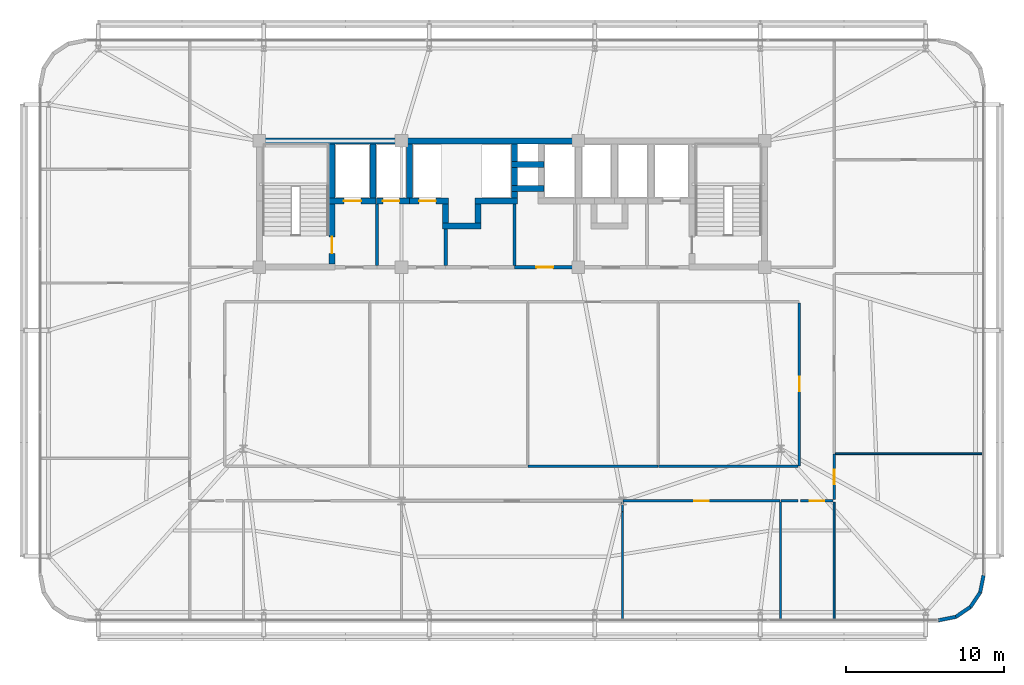
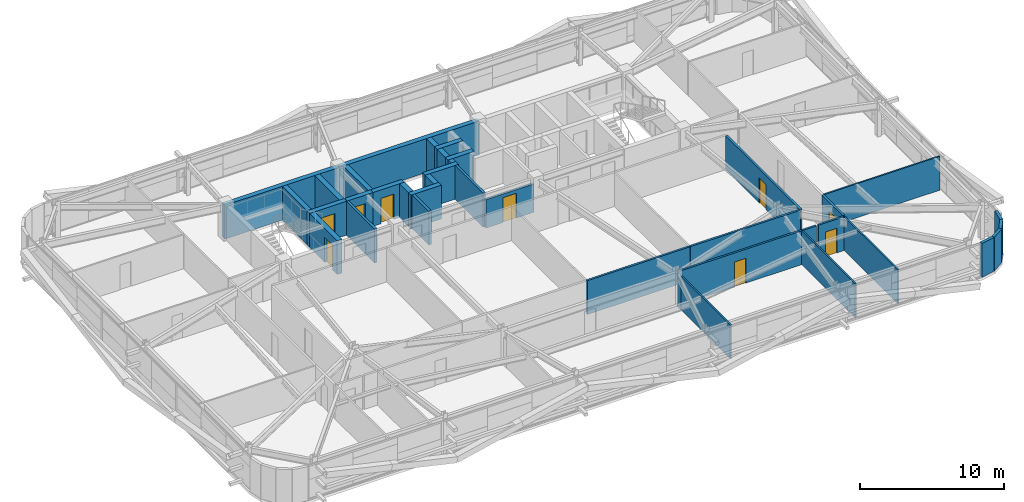
# One storey, part 40 of 45: 38 walls, 9 doors, 9 openings.
"""IFC4 building model written with IfcOpenShell, lengths in metres."""

import ifcopenshell
import ifcopenshell.guid

model = None  # the IFC model being written
_history = None  # IfcOwnerHistory: only IFC2X3 demands one
_inside = {}  # id of a spatial element -> (the spatial element, [elements in it])
_under = {}  # id of a project, library or spatial element -> (it, [spatial elements below it])
_declared = {}  # id of a project -> (the project, [libraries it declares])
_typed = {}  # id of a type object -> (the type object, [elements of that type])
_made_of = {}  # id of a material, layer set ... -> (it, [elements and type objects made of it])


def new_model(schema):
    """Start an empty IFC model of exactly this schema.

    Asked for "IFC4X3", IfcOpenShell would pick the latest addendum, in which some entities
    have other attributes; the version numbers below select the first issue.
    IFC2X3 requires an IfcOwnerHistory on every rooted entity: one is made here for all.
    """
    global model, _history
    if schema == "IFC4X3":
        model = ifcopenshell.file(schema_version=(4, 3, 0, 0))
    else:
        model = ifcopenshell.file(schema=schema)
    _inside.clear()
    _under.clear()
    _declared.clear()
    _typed.clear()
    _made_of.clear()
    _history = None
    if model.schema == "IFC2X3":
        org = make("IfcOrganization", Name="unknown")
        user = make(
            "IfcPersonAndOrganization",
            ThePerson=make("IfcPerson", FamilyName="unknown"),
            TheOrganization=org,
        )
        app = make(
            "IfcApplication",
            ApplicationDeveloper=org,
            Version="unknown",
            ApplicationFullName="unknown",
            ApplicationIdentifier="unknown",
        )
        _history = make(
            "IfcOwnerHistory",
            OwningUser=user,
            OwningApplication=app,
            ChangeAction="ADDED",
            CreationDate=0,
        )
    return model


def make(cls, **values):
    """One entity of the class cls with the attributes given. An attribute that is None is left unset."""
    return model.create_entity(
        cls, **{name: value for name, value in values.items() if value is not None}
    )


def rooted(cls, **values):
    """An entity with a GlobalId (a new one), such as an element, a storey or a relation."""
    return make(cls, GlobalId=ifcopenshell.guid.new(), OwnerHistory=_history, **values)


def si_unit(unit_type, name, prefix=None):
    """IfcSIUnit, for example si_unit("LENGTHUNIT", "METRE", prefix="MILLI")."""
    return make("IfcSIUnit", UnitType=unit_type, Prefix=prefix, Name=name)


def assignment(units):
    """IfcUnitAssignment: the units of a project."""
    return None if units is None else make("IfcUnitAssignment", Units=units)


def point(xyz):
    """IfcCartesianPoint."""
    return None if xyz is None else make("IfcCartesianPoint", Coordinates=xyz)


def direction(xyz):
    """IfcDirection."""
    return None if xyz is None else make("IfcDirection", DirectionRatios=xyz)


def frame(location, z_axis=None, x_axis=None):
    """IfcAxis2Placement3D, a coordinate frame: its origin and axes. An axis left out is left unset."""
    return make(
        "IfcAxis2Placement3D",
        Location=point(location),
        Axis=direction(z_axis),
        RefDirection=direction(x_axis),
    )


def frame_2d(location, x_axis=None):
    """IfcAxis2Placement2D, a coordinate frame in the plane: its origin and x axis."""
    return make(
        "IfcAxis2Placement2D", Location=point(location), RefDirection=direction(x_axis)
    )


def origin():
    """The frame at (0, 0, 0) with its axes left unset."""
    return frame((0.0, 0.0, 0.0))


def place(relative_to, where):
    """IfcLocalPlacement: puts the frame where relative to a parent placement (None: the world)."""
    return make(
        "IfcLocalPlacement", PlacementRelTo=relative_to, RelativePlacement=where
    )


def context(
    kind, dimensions, precision=None, world=None, true_north=None, identifier=None
):
    """IfcGeometricRepresentationContext, for example the 3D "Model" context."""
    return make(
        "IfcGeometricRepresentationContext",
        ContextIdentifier=identifier,
        ContextType=kind,
        CoordinateSpaceDimension=dimensions,
        Precision=precision,
        WorldCoordinateSystem=world,
        TrueNorth=true_north,
    )


def subcontext(parent, identifier, kind, view, scale=None):
    """IfcGeometricRepresentationSubContext, for example "Body" below "Model"."""
    return make(
        "IfcGeometricRepresentationSubContext",
        ContextIdentifier=identifier,
        ContextType=kind,
        ParentContext=parent,
        TargetScale=scale,
        TargetView=view,
    )


def project(units=None, contexts=None):
    """IfcProject with its units and contexts."""
    return rooted(
        "IfcProject",
        Name="project",
        RepresentationContexts=contexts,
        UnitsInContext=assignment(units),
    )


def spatial(cls, under=None, at=None, **own):
    """A site, building, storey or space (cls), placed at a placement, below another one or the project."""
    s = rooted(cls, ObjectPlacement=at, **own)
    if under is not None:
        _under.setdefault(under.id(), (under, []))[1].append(s)
    return s


def profile(cls, at=None, kind="AREA", **sizes):
    """A parametric profile (cls). Its sizes go by their IFC names, for example OverallWidth=200.0."""
    return make(cls, ProfileType=kind, Position=at, **sizes)


def rectangle(**sizes):
    """IfcRectangleProfileDef."""
    return profile("IfcRectangleProfileDef", **sizes)


def extrude(swept, where, along, depth):
    """IfcExtrudedAreaSolid: the profile swept, set in the frame where, extruded along a direction by depth."""
    return make(
        "IfcExtrudedAreaSolid",
        SweptArea=swept,
        Position=where,
        ExtrudedDirection=direction(along),
        Depth=depth,
    )


def shape(context_of_items, identifier, shape_type, items):
    """IfcShapeRepresentation: the items that make up one representation, for example the "Body"."""
    return make(
        "IfcShapeRepresentation",
        ContextOfItems=context_of_items,
        RepresentationIdentifier=identifier,
        RepresentationType=shape_type,
        Items=items,
    )


def source(mapping_origin, context_of_items, identifier, shape_type, items):
    """IfcRepresentationMap: a shape defined once, which mapped items show again and again."""
    return make(
        "IfcRepresentationMap",
        MappingOrigin=mapping_origin,
        MappedRepresentation=shape(context_of_items, identifier, shape_type, items),
    )


def transform(
    local_origin,
    x_axis=None,
    y_axis=None,
    z_axis=None,
    scale=None,
    scale2=None,
    scale3=None,
    uniform=True,
):
    """IfcCartesianTransformationOperator3D, or its non-uniform kind. x_axis, y_axis, z_axis: its Axis1, 2, 3."""
    if uniform:
        return make(
            "IfcCartesianTransformationOperator3D",
            Axis1=direction(x_axis),
            Axis2=direction(y_axis),
            LocalOrigin=point(local_origin),
            Scale=scale,
            Axis3=direction(z_axis),
        )
    return make(
        "IfcCartesianTransformationOperator3DnonUniform",
        Axis1=direction(x_axis),
        Axis2=direction(y_axis),
        LocalOrigin=point(local_origin),
        Scale=scale,
        Axis3=direction(z_axis),
        Scale2=scale2,
        Scale3=scale3,
    )


def mapped(mapping_source, mapping_target):
    """IfcMappedItem: shows the shape of a source again, moved by a transform."""
    return make(
        "IfcMappedItem", MappingSource=mapping_source, MappingTarget=mapping_target
    )


def material(Name=None, Category=None):
    """IfcMaterial."""
    return make("IfcMaterial", Name=Name, Category=Category)


def layer(
    of_material, thickness, ventilated=None, Name=None, Category=None, Priority=None
):
    """IfcMaterialLayer: one layer of a wall or slab, of a material (None: an air gap)."""
    return make(
        "IfcMaterialLayer",
        Material=of_material,
        LayerThickness=thickness,
        IsVentilated=ventilated,
        Name=Name,
        Category=Category,
        Priority=Priority,
    )


def layer_set(layers, Name=None):
    """IfcMaterialLayerSet."""
    return make("IfcMaterialLayerSet", MaterialLayers=layers, LayerSetName=Name)


def made_of(thing, what):
    """Note that an element or type object is made of a material, layer set ...; save() writes the relation."""
    if what is not None:
        _made_of.setdefault(what.id(), (what, []))[1].append(thing)
    return thing


def type_object(cls, material=None, **own):
    """A type object (cls), such as IfcWallType, which elements share."""
    return made_of(rooted(cls, **own), material)


def element(
    cls,
    number,
    at=None,
    inside=None,
    cuts=None,
    type_object=None,
    material=None,
    context=None,
    identifier="Body",
    shape_type=None,
    held_by="IfcProductDefinitionShape",
    body=None,
    shapes=None,
    **own,
):
    """One element of the class cls, such as IfcWall. Its Tag is "e" and its number.

    at: its placement. inside: the storey or other place that contains it. cuts: it is an
    opening in that element (IfcRelVoidsElement). A single representation is given by context,
    identifier, shape_type and body (its items); several are given by shapes. held_by: the class
    of the entity that holds the representations. save() writes the other relations.
    """
    e = rooted(cls, Tag="e%d" % number, ObjectPlacement=at, **own)
    if body is not None:
        shapes = [shape(context, identifier, shape_type, body)]
    if shapes is not None:
        e.Representation = make(held_by, Representations=shapes)
    if inside is not None:
        _inside.setdefault(inside.id(), (inside, []))[1].append(e)
    if cuts is not None:
        rooted(
            "IfcRelVoidsElement", RelatingBuildingElement=cuts, RelatedOpeningElement=e
        )
    if type_object is not None:
        _typed.setdefault(type_object.id(), (type_object, []))[1].append(e)
    return made_of(e, material)


def fill(opening, filler):
    """IfcRelFillsElement: the door or window that sits in an opening."""
    return rooted(
        "IfcRelFillsElement",
        RelatingOpeningElement=opening,
        RelatedBuildingElement=filler,
    )


def aggregate(whole, parts):
    """IfcRelAggregates: a whole, such as a stair, and the parts it consists of."""
    return rooted("IfcRelAggregates", RelatingObject=whole, RelatedObjects=parts)


def save(model, path):
    """Write the relations noted so far, then the file.

    IfcRelAggregates (storeys below a building ...), IfcRelContainedInSpatialStructure (elements
    in a storey), IfcRelDefinesByType, IfcRelAssociatesMaterial and IfcRelDeclares: one each for
    every whole, place, type object, material and project.
    """
    for whole, parts in _under.values():
        aggregate(whole, parts)
    for where, things in _inside.values():
        rooted(
            "IfcRelContainedInSpatialStructure",
            RelatedElements=things,
            RelatingStructure=where,
        )
    for kind, things in _typed.values():
        rooted("IfcRelDefinesByType", RelatedObjects=things, RelatingType=kind)
    for what, things in _made_of.values():
        rooted("IfcRelAssociatesMaterial", RelatedObjects=things, RelatingMaterial=what)
    for by, libraries in _declared.values():
        rooted("IfcRelDeclares", RelatingContext=by, RelatedDefinitions=libraries)
    model.write(path)


model = new_model("IFC4")

# Units and contexts
model_context = context("Model", 3, precision=1e-05, world=origin(), true_north=direction((0.0, 1.0)))
body_context = subcontext(model_context, "Body", "Model", "MODEL_VIEW")
ifc_project = project(units=[si_unit("LENGTHUNIT", "METRE"), si_unit("AREAUNIT", "SQUARE_METRE"), si_unit("VOLUMEUNIT", "CUBIC_METRE"), si_unit("PLANEANGLEUNIT", "RADIAN"), si_unit("MASSUNIT", "GRAM", prefix="KILO")], contexts=[model_context])

# Site, building, storey
site_placement = place(None, origin())
site = spatial("IfcSite", under=ifc_project, at=site_placement, CompositionType="ELEMENT")
building_placement = place(site_placement, origin())
building = spatial("IfcBuilding", under=site, at=building_placement, Name="Taldren Reach Tower", CompositionType="ELEMENT")
storey_placement = place(building_placement, frame((0.0, 0.0, 57.75)))
storey = spatial("IfcBuildingStorey", under=building, at=storey_placement, Name="L17", CompositionType="ELEMENT", Elevation=57.75)

# Walls
ifc_material_1 = material(Name="Pale Champagne Anodised Aluminium Cladding", Category="aluminium")
ifc_layer_1 = layer(ifc_material_1, 0.04, Name="Pale Champagne Anodised Aluminium Cladding", Category="aluminium")
ifc_material_2 = material(Name="Mineral Wool Acoustic Insulation", Category="insulation")
ifc_layer_2 = layer(ifc_material_2, 0.06, Name="Mineral Wool Acoustic Insulation", Category="insulation")
ifc_material_3 = material(Name="Steel Gr 350 (C350L0)", Category="steel")
ifc_layer_3 = layer(ifc_material_3, 0.12, Name="Steel Gr 350 (C350L0)", Category="steel")
ifc_layer_set_1 = layer_set([ifc_layer_1, ifc_layer_2, ifc_layer_3], Name="Pale Champagne Aluminium Cladding and Steel Gr 350 Stud Framing")
wall_type_1 = type_object("IfcWallType", Name="EW-CRN-220", PredefinedType="SOLIDWALL", material=ifc_layer_set_1)
shared_shape_1 = source(origin(), body_context, "Body", "SweptSolid", [
    extrude(rectangle(XDim=1.115966796875, YDim=0.219970703125, at=frame_2d((0.55810546875, 0.0))), origin(), (0.0, 0.0, 1.0), 2.8701171875),
])
for number, where, z_axis, x_axis, name in (
    (1, (62.0, 1.639892578125, 0.0), (0.0, 0.0, 1.0), (0.98077373103, 0.195148375659, 0.0), "Rounded-corner pale-metal facade wall L17-SE1"),
    (2, (63.094482421875, 1.857666015625, 0.0), (0.0, 0.0, 1.0), (0.83137650226, 0.555709556774, 0.0), "Rounded-corner pale-metal facade wall L17-SE2"),
    (3, (64.022216796875, 2.477783203125, 0.0), (0.0, 0.0, 1.0), (0.555709556774, 0.83137650226, 0.0), "Rounded-corner pale-metal facade wall L17-SE3"),
    (4, (64.642333984375, 3.405517578125, 0.0), (0.0, 0.0, 1.0), (0.195148375659, 0.98077373103, 0.0), "Rounded-corner pale-metal facade wall L17-SE4"),
):
    element("IfcWall", number, at=place(storey_placement, frame(where, z_axis=z_axis, x_axis=x_axis)), inside=storey, type_object=wall_type_1, Name=name, PredefinedType="SOLIDWALL", context=body_context, shape_type="MappedRepresentation", body=[
        mapped(shared_shape_1, transform((0.0, 0.0, 0.0), scale=1.0)),
    ])
ifc_material_4 = material(Name="Concrete S80 (80 MPa)", Category="concrete")
ifc_layer_4 = layer(ifc_material_4, 0.3798828125)
ifc_layer_set_2 = layer_set([ifc_layer_4], Name="Concrete S80 (80 MPa)")
wall_type_2 = type_object("IfcWallType", Name="IW-CORE-380", PredefinedType="SHEAR", material=ifc_layer_set_2)
shared_shape_2 = source(origin(), body_context, "Body", "SweptSolid", [
    extrude(rectangle(XDim=9.18994140625, YDim=0.3798828125, at=frame_2d((4.594970703125, 0.0))), origin(), (0.0, 0.0, 1.0), 2.8701171875),
])
wall_1_placement = place(storey_placement, frame((18.81005859375, 32.0, 0.0), z_axis=(0.0, 0.0, 1.0), x_axis=(1.0, 0.0, 0.0)))
element("IfcWall", 5, at=wall_1_placement, inside=storey, type_object=wall_type_2, Name="Rear Core Shear Wall W-CORE-L17-NORTH1", PredefinedType="SHEAR", context=body_context, shape_type="MappedRepresentation", body=[
    mapped(shared_shape_2, transform((0.0, 0.0, 0.0), scale=1.0)),
])
shared_shape_3 = source(origin(), body_context, "Body", "SweptSolid", [
    extrude(rectangle(XDim=11.199951171875, YDim=0.3798828125, at=frame_2d((5.60009765625, 0.0))), origin(), (0.0, 0.0, 1.0), 2.8701171875),
])
wall_2_placement = place(storey_placement, frame((28.0, 32.0, 0.0), z_axis=(0.0, 0.0, 1.0), x_axis=(1.0, 0.0, 0.0)))
element("IfcWall", 6, at=wall_2_placement, inside=storey, type_object=wall_type_2, Name="Rear Core Shear Wall W-CORE-L17-NORTH2", PredefinedType="SHEAR", context=body_context, shape_type="MappedRepresentation", body=[
    mapped(shared_shape_3, transform((0.0, 0.0, 0.0), scale=1.0)),
])
shared_shape_4 = source(origin(), body_context, "Body", "SweptSolid", [
    extrude(rectangle(XDim=3.420166015625, YDim=0.3798828125, at=frame_2d((1.7099609375, 0.0))), origin(), (0.0, 0.0, 1.0), 2.8701171875),
])
for number, where, z_axis, x_axis, name in (
    (7, (23.60009765625, 28.389892578125, 0.0), (0.0, 0.0, 1.0), (0.0, 1.0, 0.0), "Rear Core Shear Wall W-INT-L17-001"),
    (8, (26.199951171875, 28.389892578125, 0.0), (0.0, 0.0, 1.0), (0.0, 1.0, 0.0), "Rear Core Shear Wall W-INT-L17-005"),
    (9, (28.5, 28.389892578125, 0.0), (0.0, 0.0, 1.0), (0.0, 1.0, 0.0), "Rear Core Shear Wall W-INT-L17-029"),
):
    element("IfcWall", number, at=place(storey_placement, frame(where, z_axis=z_axis, x_axis=x_axis)), inside=storey, type_object=wall_type_2, Name=name, PredefinedType="SHEAR", context=body_context, shape_type="MappedRepresentation", body=[
        mapped(shared_shape_4, transform((0.0, 0.0, 0.0), scale=1.0)),
    ])

# Wall, opening, door
shared_shape_5 = source(origin(), body_context, "Body", "SweptSolid", [
    extrude(rectangle(XDim=3.820068359375, YDim=0.3798828125, at=frame_2d((1.91015625, 0.0))), origin(), (0.0, 0.0, 1.0), 2.8701171875),
])
wall_3_placement = place(storey_placement, frame((23.60009765625, 24.18994140625, 0.0), z_axis=(0.0, 0.0, 1.0), x_axis=(0.0, 1.0, 0.0)))
wall_3 = element("IfcWall", 10, at=wall_3_placement, inside=storey, type_object=wall_type_2, Name="Rear Core Shear Wall W-INT-L17-002", PredefinedType="SHEAR", context=body_context, shape_type="MappedRepresentation", body=[
    mapped(shared_shape_5, transform((0.0, 0.0, 0.0), scale=1.0)),
])
shared_shape_6 = source(origin(), body_context, "Body", "SweptSolid", [
    extrude(rectangle(XDim=1.050048828125, YDim=2.10009765625, at=frame_2d((0.52490234375, 1.050048828125))), frame((0.0, 0.199951171875, 0.0), z_axis=(0.0, -1.0, 0.0), x_axis=(1.0, 0.0, 0.0)), (0.0, 0.0, 1.0), 0.39990234375),
])
opening_1_placement = place(wall_3_placement, frame((0.68505859375, 0.0, 0.0)))
opening_1 = element("IfcOpeningElement", 11, at=opening_1_placement, cuts=wall_3, Name="Opening DF-105", PredefinedType="OPENING", context=body_context, shape_type="MappedRepresentation", body=[
    mapped(shared_shape_6, transform((0.0, 0.0, 0.0), scale=1.0)),
])
ifc_material_5 = material(Name="Fire-Rated Care and Stair Exit Door")
door_type_1 = type_object("IfcDoorType", Name="ID-FIRE-105", OperationType="NOTDEFINED", PredefinedType="DOOR", material=ifc_material_5)
shared_shape_7 = source(origin(), body_context, "Body", "SweptSolid", [
    extrude(rectangle(XDim=1.050048828125, YDim=2.10009765625, at=frame_2d((0.52490234375, 1.050048828125))), frame((0.0, 0.02490234375, 0.0), z_axis=(0.0, -1.0, 0.0), x_axis=(1.0, 0.0, 0.0)), (0.0, 0.0, 1.0), 0.050048828125),
])
door_1_placement = place(opening_1_placement, origin())
door_1 = element("IfcDoor", 12, at=door_1_placement, inside=storey, type_object=door_type_1, Name="Fire Exit Stair Door DR-L17-001", OperationType="SINGLE_SWING_LEFT", OverallHeight=2.10009765625, OverallWidth=1.050048828125, PredefinedType="DOOR", context=body_context, shape_type="MappedRepresentation", body=[
    mapped(shared_shape_7, transform((0.0, 0.0, 0.0), scale=1.0)),
])
fill(opening_1, door_1)

shared_shape_8 = source(origin(), body_context, "Body", "SweptSolid", [
    extrude(rectangle(XDim=2.97998046875, YDim=0.3798828125, at=frame_2d((1.489990234375, 0.0))), origin(), (0.0, 0.0, 1.0), 2.8701171875),
])
wall_4_placement = place(storey_placement, frame((23.409912109375, 28.199951171875, 0.0), z_axis=(0.0, 0.0, 1.0), x_axis=(1.0, 0.0, 0.0)))
wall_4 = element("IfcWall", 13, at=wall_4_placement, inside=storey, type_object=wall_type_2, Name="Rear Core Shear Wall W-INT-L17-004", PredefinedType="SHEAR", context=body_context, shape_type="MappedRepresentation", body=[
    mapped(shared_shape_8, transform((0.0, 0.0, 0.0), scale=1.0)),
])
shared_shape_9 = source(origin(), body_context, "Body", "SweptSolid", [
    extrude(rectangle(XDim=1.10009765625, YDim=2.14990234375, at=frame_2d((0.550048828125, 1.074951171875))), frame((0.0, 0.199951171875, 0.0), z_axis=(0.0, -1.0, 0.0), x_axis=(1.0, 0.0, 0.0)), (0.0, 0.0, 1.0), 0.39990234375),
])
opening_2_placement = place(wall_4_placement, frame((0.93994140625, 0.0, 0.0)))
opening_2 = element("IfcOpeningElement", 14, at=opening_2_placement, cuts=wall_4, Name="Opening LD-FL1", PredefinedType="OPENING", context=body_context, shape_type="MappedRepresentation", body=[
    mapped(shared_shape_9, transform((0.0, 0.0, 0.0), scale=1.0)),
])
ifc_material_6 = material(Name="Stainless Steel Gr 316 Emergency Lift Landing Door", Category="steel")
door_type_2 = type_object("IfcDoorType", Name="LD-EMG-110", OperationType="SLIDING_TO_LEFT", PredefinedType="DOOR", material=ifc_material_6)
shared_shape_10 = source(origin(), body_context, "Body", "SweptSolid", [
    extrude(rectangle(XDim=1.10009765625, YDim=2.14990234375, at=frame_2d((0.550048828125, 1.074951171875))), frame((0.0, 0.02490234375, 0.0), z_axis=(0.0, -1.0, 0.0), x_axis=(1.0, 0.0, 0.0)), (0.0, 0.0, 1.0), 0.050048828125),
])
door_2_placement = place(opening_2_placement, origin())
door_2 = element("IfcDoor", 15, at=door_2_placement, inside=storey, type_object=door_type_2, Name="Lift Landing Door LD-FL1-L17", OperationType="SLIDING_TO_LEFT", OverallHeight=2.14990234375, OverallWidth=1.10009765625, PredefinedType="DOOR", context=body_context, shape_type="MappedRepresentation", body=[
    mapped(shared_shape_10, transform((0.0, 0.0, 0.0), scale=1.0)),
])
fill(opening_2, door_2)

# Walls
ifc_material_7 = material(Name="Concrete S50 (50 MPa)", Category="concrete")
ifc_layer_5 = layer(ifc_material_7, 0.199951171875)
ifc_layer_set_3 = layer_set([ifc_layer_5], Name="Concrete S50 (50 MPa)")
wall_type_3 = type_object("IfcWallType", Name="IW-CORE-200", PredefinedType="SOLIDWALL", material=ifc_layer_set_3)
shared_shape_11 = source(origin(), body_context, "Body", "SweptSolid", [
    extrude(rectangle(XDim=3.909912109375, YDim=0.199951171875, at=frame_2d((1.955078125, 0.0))), origin(), (0.0, 0.0, 1.0), 2.8701171875),
])
for number, where, z_axis, x_axis, name in (
    (16, (26.449951171875, 24.10009765625, 0.0), (0.0, 0.0, 1.0), (0.0, 1.0, 0.0), "Rear Core Shear Wall W-INT-L17-006"),
    (17, (35.14990234375, 28.010009765625, 0.0), (0.0, 0.0, 1.0), (0.0, -1.0, 0.0), "Rear Core Shear Wall W-INT-L17-042"),
):
    element("IfcWall", number, at=place(storey_placement, frame(where, z_axis=z_axis, x_axis=x_axis)), inside=storey, type_object=wall_type_3, Name=name, PredefinedType="SOLIDWALL", context=body_context, shape_type="MappedRepresentation", body=[
        mapped(shared_shape_11, transform((0.0, 0.0, 0.0), scale=1.0)),
    ])
shared_shape_12 = source(origin(), body_context, "Body", "SweptSolid", [
    extrude(rectangle(XDim=2.080078125, YDim=0.3798828125, at=frame_2d((1.0400390625, 0.0))), origin(), (0.0, 0.0, 1.0), 2.8701171875),
])
for number, where, z_axis, x_axis, name in (
    (18, (34.9599609375, 30.5, 0.0), (0.0, 0.0, 1.0), (1.0, 0.0, 0.0), "Rear Core Shear Wall W-INT-L17-015"),
    (19, (34.9599609375, 29.0, 0.0), (0.0, 0.0, 1.0), (1.0, 0.0, 0.0), "Rear Core Shear Wall W-INT-L17-020"),
):
    element("IfcWall", number, at=place(storey_placement, frame(where, z_axis=z_axis, x_axis=x_axis)), inside=storey, type_object=wall_type_2, Name=name, PredefinedType="SHEAR", context=body_context, shape_type="MappedRepresentation", body=[
        mapped(shared_shape_12, transform((0.0, 0.0, 0.0), scale=1.0)),
    ])
shared_shape_13 = source(origin(), body_context, "Body", "SweptSolid", [
    extrude(rectangle(XDim=1.1201171875, YDim=0.3798828125, at=frame_2d((0.56005859375, 0.0))), origin(), (0.0, 0.0, 1.0), 2.8701171875),
])
for number, where, z_axis, x_axis, name in (
    (20, (35.14990234375, 31.81005859375, 0.0), (0.0, 0.0, 1.0), (0.0, -1.0, 0.0), "Rear Core Shear Wall W-INT-L17-016"),
    (21, (35.14990234375, 30.31005859375, 0.0), (0.0, 0.0, 1.0), (0.0, -1.0, 0.0), "Rear Core Shear Wall W-INT-L17-018"),
):
    element("IfcWall", number, at=place(storey_placement, frame(where, z_axis=z_axis, x_axis=x_axis)), inside=storey, type_object=wall_type_2, Name=name, PredefinedType="SHEAR", context=body_context, shape_type="MappedRepresentation", body=[
        mapped(shared_shape_13, transform((0.0, 0.0, 0.0), scale=1.0)),
    ])
shared_shape_14 = source(origin(), body_context, "Body", "SweptSolid", [
    extrude(rectangle(XDim=1.219970703125, YDim=0.3798828125, at=frame_2d((0.60986328125, 0.0))), origin(), (0.0, 0.0, 1.0), 2.8701171875),
])
for number, where, z_axis, x_axis, name in (
    (22, (30.800048828125, 28.010009765625, 0.0), (0.0, 0.0, 1.0), (0.0, -1.0, 0.0), "Rear Core Shear Wall W-INT-L17-021"),
    (23, (32.85009765625, 26.7900390625, 0.0), (0.0, 0.0, 1.0), (0.0, 1.0, 0.0), "Rear Core Shear Wall W-INT-L17-023"),
):
    element("IfcWall", number, at=place(storey_placement, frame(where, z_axis=z_axis, x_axis=x_axis)), inside=storey, type_object=wall_type_2, Name=name, PredefinedType="SHEAR", context=body_context, shape_type="MappedRepresentation", body=[
        mapped(shared_shape_14, transform((0.0, 0.0, 0.0), scale=1.0)),
    ])
shared_shape_15 = source(origin(), body_context, "Body", "SweptSolid", [
    extrude(rectangle(XDim=2.429931640625, YDim=0.3798828125, at=frame_2d((1.21484375, 0.0))), origin(), (0.0, 0.0, 1.0), 2.8701171875),
])
wall_5_placement = place(storey_placement, frame((30.610107421875, 26.60009765625, 0.0), z_axis=(0.0, 0.0, 1.0), x_axis=(1.0, 0.0, 0.0)))
element("IfcWall", 24, at=wall_5_placement, inside=storey, type_object=wall_type_2, Name="Rear Core Shear Wall W-INT-L17-022", PredefinedType="SHEAR", context=body_context, shape_type="MappedRepresentation", body=[
    mapped(shared_shape_15, transform((0.0, 0.0, 0.0), scale=1.0)),
])

# Wall, opening, door
shared_shape_16 = source(origin(), body_context, "Body", "SweptSolid", [
    extrude(rectangle(XDim=2.070068359375, YDim=0.3798828125, at=frame_2d((1.03515625, 0.0))), origin(), (0.0, 0.0, 1.0), 2.8701171875),
])
wall_6_placement = place(storey_placement, frame((26.429931640625, 28.199951171875, 0.0), z_axis=(0.0, 0.0, 1.0), x_axis=(1.0, 0.0, 0.0)))
wall_6 = element("IfcWall", 25, at=wall_6_placement, inside=storey, type_object=wall_type_2, Name="Rear Core Shear Wall W-INT-L17-030", PredefinedType="SHEAR", context=body_context, shape_type="MappedRepresentation", body=[
    mapped(shared_shape_16, transform((0.0, 0.0, 0.0), scale=1.0)),
])
shared_shape_17 = source(origin(), body_context, "Body", "SweptSolid", [
    extrude(rectangle(XDim=1.050048828125, YDim=2.14990234375, at=frame_2d((0.52490234375, 1.074951171875))), frame((0.0, 0.199951171875, 0.0), z_axis=(0.0, -1.0, 0.0), x_axis=(1.0, 0.0, 0.0)), (0.0, 0.0, 1.0), 0.39990234375),
])
opening_3_placement = place(wall_6_placement, frame((0.39501953125, 0.0, 0.0)))
opening_3 = element("IfcOpeningElement", 26, at=opening_3_placement, cuts=wall_6, Name="Opening LD-PL1", PredefinedType="OPENING", context=body_context, shape_type="MappedRepresentation", body=[
    mapped(shared_shape_17, transform((0.0, 0.0, 0.0), scale=1.0)),
])
ifc_material_8 = material(Name="Stainless Steel Gr 316 Passenger Lift Landing Door", Category="steel")
door_type_3 = type_object("IfcDoorType", Name="LD-PAS-105", OperationType="SLIDING_TO_LEFT", PredefinedType="DOOR", material=ifc_material_8)
shared_shape_18 = source(origin(), body_context, "Body", "SweptSolid", [
    extrude(rectangle(XDim=1.050048828125, YDim=2.14990234375, at=frame_2d((0.52490234375, 1.074951171875))), frame((0.0, 0.02490234375, 0.0), z_axis=(0.0, -1.0, 0.0), x_axis=(1.0, 0.0, 0.0)), (0.0, 0.0, 1.0), 0.050048828125),
])
door_3_placement = place(opening_3_placement, origin())
door_3 = element("IfcDoor", 27, at=door_3_placement, inside=storey, type_object=door_type_3, Name="Lift Landing Door LD-PL1-L17", OperationType="SLIDING_TO_LEFT", OverallHeight=2.14990234375, OverallWidth=1.050048828125, PredefinedType="DOOR", context=body_context, shape_type="MappedRepresentation", body=[
    mapped(shared_shape_18, transform((0.0, 0.0, 0.0), scale=1.0)),
])
fill(opening_3, door_3)

shared_shape_19 = source(origin(), body_context, "Body", "SweptSolid", [
    extrude(rectangle(XDim=2.489990234375, YDim=0.3798828125, at=frame_2d((1.2451171875, 0.0))), origin(), (0.0, 0.0, 1.0), 2.8701171875),
])
wall_7_placement = place(storey_placement, frame((28.5, 28.199951171875, 0.0), z_axis=(0.0, 0.0, 1.0), x_axis=(1.0, 0.0, 0.0)))
wall_7 = element("IfcWall", 28, at=wall_7_placement, inside=storey, type_object=wall_type_2, Name="Rear Core Shear Wall W-INT-L17-031", PredefinedType="SHEAR", context=body_context, shape_type="MappedRepresentation", body=[
    mapped(shared_shape_19, transform((0.0, 0.0, 0.0), scale=1.0)),
])
opening_4_placement = place(wall_7_placement, frame((0.625, 0.0, 0.0)))
opening_4 = element("IfcOpeningElement", 29, at=opening_4_placement, cuts=wall_7, Name="Opening LD-PL2", PredefinedType="OPENING", context=body_context, shape_type="MappedRepresentation", body=[
    mapped(shared_shape_17, transform((0.0, 0.0, 0.0), scale=1.0)),
])
door_4_placement = place(opening_4_placement, origin())
door_4 = element("IfcDoor", 30, at=door_4_placement, inside=storey, type_object=door_type_3, Name="Lift Landing Door LD-PL2-L17", OperationType="SLIDING_TO_LEFT", OverallHeight=2.14990234375, OverallWidth=1.050048828125, PredefinedType="DOOR", context=body_context, shape_type="MappedRepresentation", body=[
    mapped(shared_shape_18, transform((0.0, 0.0, 0.0), scale=1.0)),
])
fill(opening_4, door_4)

# Walls
shared_shape_20 = source(origin(), body_context, "Body", "SweptSolid", [
    extrude(rectangle(XDim=2.309814453125, YDim=0.199951171875, at=frame_2d((1.15478515625, 0.0))), origin(), (0.0, 0.0, 1.0), 2.8701171875),
])
wall_8_placement = place(storey_placement, frame((30.800048828125, 26.409912109375, 0.0), z_axis=(0.0, 0.0, 1.0), x_axis=(0.0, -1.0, 0.0)))
element("IfcWall", 31, at=wall_8_placement, inside=storey, type_object=wall_type_3, Name="Rear Core Shear Wall W-INT-L17-032", PredefinedType="SOLIDWALL", context=body_context, shape_type="MappedRepresentation", body=[
    mapped(shared_shape_20, transform((0.0, 0.0, 0.0), scale=1.0)),
])
shared_shape_21 = source(origin(), body_context, "Body", "SweptSolid", [
    extrude(rectangle(XDim=2.68017578125, YDim=0.3798828125, at=frame_2d((1.340087890625, 0.0))), origin(), (0.0, 0.0, 1.0), 2.8701171875),
])
wall_9_placement = place(storey_placement, frame((32.659912109375, 28.199951171875, 0.0), z_axis=(0.0, 0.0, 1.0), x_axis=(1.0, 0.0, 0.0)))
element("IfcWall", 32, at=wall_9_placement, inside=storey, type_object=wall_type_2, Name="Rear Core Shear Wall W-INT-L17-034", PredefinedType="SHEAR", context=body_context, shape_type="MappedRepresentation", body=[
    mapped(shared_shape_21, transform((0.0, 0.0, 0.0), scale=1.0)),
])
shared_shape_22 = source(origin(), body_context, "Body", "SweptSolid", [
    extrude(rectangle(XDim=0.420166015625, YDim=0.3798828125, at=frame_2d((0.2099609375, 0.0))), origin(), (0.0, 0.0, 1.0), 2.8701171875),
])
wall_10_placement = place(storey_placement, frame((35.14990234375, 28.389892578125, 0.0), z_axis=(0.0, 0.0, 1.0), x_axis=(0.0, 1.0, 0.0)))
element("IfcWall", 33, at=wall_10_placement, inside=storey, type_object=wall_type_2, Name="Rear Core Shear Wall W-INT-L17-035", PredefinedType="SHEAR", context=body_context, shape_type="MappedRepresentation", body=[
    mapped(shared_shape_22, transform((0.0, 0.0, 0.0), scale=1.0)),
])

# Wall, opening, door
shared_shape_23 = source(origin(), body_context, "Body", "SweptSolid", [
    extrude(rectangle(XDim=3.85009765625, YDim=0.199951171875, at=frame_2d((1.925048828125, 0.0))), origin(), (0.0, 0.0, 1.0), 2.409912109375),
])
wall_11_placement = place(storey_placement, frame((39.0, 24.0, 0.0), z_axis=(0.0, 0.0, 1.0), x_axis=(-1.0, 0.0, 0.0)))
wall_11 = element("IfcWall", 34, at=wall_11_placement, inside=storey, type_object=wall_type_3, Name="Rear Core Shear Wall W-INT-L17-045", PredefinedType="SOLIDWALL", context=body_context, shape_type="MappedRepresentation", body=[
    mapped(shared_shape_23, transform((0.0, 0.0, 0.0), scale=1.0)),
])
shared_shape_24 = source(origin(), body_context, "Body", "SweptSolid", [
    extrude(rectangle(XDim=1.050048828125, YDim=2.10009765625, at=frame_2d((0.52490234375, 1.050048828125))), frame((0.0, 0.10986328125, 0.0), z_axis=(0.0, -1.0, 0.0), x_axis=(1.0, 0.0, 0.0)), (0.0, 0.0, 1.0), 0.219970703125),
])
opening_5_placement = place(wall_11_placement, frame((1.39990234375, 0.0, 0.0)))
opening_5 = element("IfcOpeningElement", 35, at=opening_5_placement, cuts=wall_11, Name="Opening DF-105", PredefinedType="OPENING", context=body_context, shape_type="MappedRepresentation", body=[
    mapped(shared_shape_24, transform((0.0, 0.0, 0.0), scale=1.0)),
])
door_5_placement = place(opening_5_placement, frame((1.050048828125, 0.0, 0.0), z_axis=(0.0, 0.0, 1.0), x_axis=(-1.0, 0.0, 0.0)))
door_5 = element("IfcDoor", 36, at=door_5_placement, inside=storey, type_object=door_type_1, Name="Interior Door DR-L17-007", OperationType="SINGLE_SWING_LEFT", OverallHeight=2.10009765625, OverallWidth=1.050048828125, PredefinedType="DOOR", context=body_context, shape_type="MappedRepresentation", body=[
    mapped(shared_shape_7, transform((0.0, 0.0, 0.0), scale=1.0)),
])
fill(opening_5, door_5)

ifc_material_9 = material(Name="Fire-Rated Acoustic Plasterboard Stud Wall", Category="gypsum")
ifc_layer_6 = layer(ifc_material_9, 0.159912109375)
ifc_layer_set_4 = layer_set([ifc_layer_6], Name="Fire-Rated Acoustic Plasterboard Stud Wall")
wall_type_4 = type_object("IfcWallType", Name="IW-FIRE-160", PredefinedType="PARTITIONING", material=ifc_layer_set_4)
shared_shape_25 = source(origin(), body_context, "Body", "SweptSolid", [
    extrude(rectangle(XDim=9.95947265625, YDim=0.159912109375, at=frame_2d((4.979736328125, 0.0))), origin(), (0.0, 0.0, 1.0), 2.8701171875),
])
wall_12_placement = place(storey_placement, frame((51.979736328125, 9.199951171875, 0.0), z_axis=(0.0, 0.0, 1.0), x_axis=(-1.0, 0.0, 0.0)))
wall_12 = element("IfcWall", 37, at=wall_12_placement, inside=storey, type_object=wall_type_4, Name="Interior Partition Wall W-INT-L17-069", PredefinedType="PARTITIONING", context=body_context, shape_type="MappedRepresentation", body=[
    mapped(shared_shape_25, transform((0.0, 0.0, 0.0), scale=1.0)),
])
shared_shape_26 = source(origin(), body_context, "Body", "SweptSolid", [
    extrude(rectangle(XDim=0.919921875, YDim=2.10009765625, at=frame_2d((0.4599609375, 1.050048828125))), frame((0.0, 0.08984375, 0.0), z_axis=(0.0, -1.0, 0.0), x_axis=(1.0, 0.0, 0.0)), (0.0, 0.0, 1.0), 0.179931640625),
])
opening_6_placement = place(wall_12_placement, frame((4.519775390625, 0.0, 0.0)))
opening_6 = element("IfcOpeningElement", 38, at=opening_6_placement, cuts=wall_12, Name="Opening DI-092", PredefinedType="OPENING", context=body_context, shape_type="MappedRepresentation", body=[
    mapped(shared_shape_26, transform((0.0, 0.0, 0.0), scale=1.0)),
])
ifc_material_10 = material(Name="Solid-Core Timber Suite Door", Category="wood")
door_type_4 = type_object("IfcDoorType", Name="ID-INT-092", OperationType="NOTDEFINED", PredefinedType="DOOR", material=ifc_material_10)
shared_shape_27 = source(origin(), body_context, "Body", "SweptSolid", [
    extrude(rectangle(XDim=0.919921875, YDim=2.10009765625, at=frame_2d((0.4599609375, 1.050048828125))), frame((0.0, 0.02490234375, 0.0), z_axis=(0.0, -1.0, 0.0), x_axis=(1.0, 0.0, 0.0)), (0.0, 0.0, 1.0), 0.050048828125),
])
door_6_placement = place(opening_6_placement, origin())
door_6 = element("IfcDoor", 39, at=door_6_placement, inside=storey, type_object=door_type_4, Name="Interior Door DR-L17-022", OperationType="SINGLE_SWING_LEFT", OverallHeight=2.10009765625, OverallWidth=0.919921875, PredefinedType="DOOR", context=body_context, shape_type="MappedRepresentation", body=[
    mapped(shared_shape_27, transform((0.0, 0.0, 0.0), scale=1.0)),
])
fill(opening_6, door_6)

# Wall
shared_shape_28 = source(origin(), body_context, "Body", "SweptSolid", [
    extrude(rectangle(XDim=8.215576171875, YDim=0.159912109375, at=frame_2d((4.10791015625, 0.0))), origin(), (0.0, 0.0, 1.0), 2.8701171875),
])
wall_13_placement = place(storey_placement, frame((36.020263671875, 11.39990234375, 0.0), z_axis=(0.0, 0.0, 1.0), x_axis=(1.0, 0.0, 0.0)))
element("IfcWall", 40, at=wall_13_placement, inside=storey, type_object=wall_type_4, Name="Interior Partition Wall W-INT-L17-064", PredefinedType="PARTITIONING", context=body_context, shape_type="MappedRepresentation", body=[
    mapped(shared_shape_28, transform((0.0, 0.0, 0.0), scale=1.0)),
])

# Wall, opening, door
shared_shape_29 = source(origin(), body_context, "Body", "SweptSolid", [
    extrude(rectangle(XDim=10.299560546875, YDim=0.159912109375, at=frame_2d((5.14990234375, 0.0))), origin(), (0.0, 0.0, 1.0), 2.8701171875),
])
wall_14_placement = place(storey_placement, frame((53.199951171875, 11.42041015625, 0.0), z_axis=(0.0, 0.0, 1.0), x_axis=(0.0, 1.0, 0.0)))
wall_14 = element("IfcWall", 41, at=wall_14_placement, inside=storey, type_object=wall_type_4, Name="Interior Partition Wall W-INT-L17-051", PredefinedType="PARTITIONING", context=body_context, shape_type="MappedRepresentation", body=[
    mapped(shared_shape_29, transform((0.0, 0.0, 0.0), scale=1.0)),
])
opening_7_placement = place(wall_14_placement, frame((4.7197265625, 0.0, 0.0)))
opening_7 = element("IfcOpeningElement", 42, at=opening_7_placement, cuts=wall_14, Name="Opening DI-092", PredefinedType="OPENING", context=body_context, shape_type="MappedRepresentation", body=[
    mapped(shared_shape_26, transform((0.0, 0.0, 0.0), scale=1.0)),
])
door_7_placement = place(opening_7_placement, origin())
door_7 = element("IfcDoor", 43, at=door_7_placement, inside=storey, type_object=door_type_4, Name="Interior Door DR-L17-012", OperationType="SINGLE_SWING_LEFT", OverallHeight=2.10009765625, OverallWidth=0.919921875, PredefinedType="DOOR", context=body_context, shape_type="MappedRepresentation", body=[
    mapped(shared_shape_27, transform((0.0, 0.0, 0.0), scale=1.0)),
])
fill(opening_7, door_7)

shared_shape_30 = source(origin(), body_context, "Body", "SweptSolid", [
    extrude(rectangle(XDim=2.0400390625, YDim=0.159912109375, at=frame_2d((1.02001953125, 0.0))), origin(), (0.0, 0.0, 1.0), 2.8701171875),
])
wall_15_placement = place(storey_placement, frame((55.320068359375, 9.199951171875, 0.0), z_axis=(0.0, 0.0, 1.0), x_axis=(-1.0, 0.0, 0.0)))
wall_15 = element("IfcWall", 44, at=wall_15_placement, inside=storey, type_object=wall_type_4, Name="Interior Partition Wall W-INT-L17-054", PredefinedType="PARTITIONING", context=body_context, shape_type="MappedRepresentation", body=[
    mapped(shared_shape_30, transform((0.0, 0.0, 0.0), scale=1.0)),
])
opening_8_placement = place(wall_15_placement, frame((0.56005859375, 0.0, 0.0)))
opening_8 = element("IfcOpeningElement", 45, at=opening_8_placement, cuts=wall_15, Name="Opening DI-092", PredefinedType="OPENING", context=body_context, shape_type="MappedRepresentation", body=[
    mapped(shared_shape_26, transform((0.0, 0.0, 0.0), scale=1.0)),
])
door_8_placement = place(opening_8_placement, origin())
door_8 = element("IfcDoor", 46, at=door_8_placement, inside=storey, type_object=door_type_4, Name="Interior Door DR-L17-014", OperationType="SINGLE_SWING_LEFT", OverallHeight=2.10009765625, OverallWidth=0.919921875, PredefinedType="DOOR", context=body_context, shape_type="MappedRepresentation", body=[
    mapped(shared_shape_27, transform((0.0, 0.0, 0.0), scale=1.0)),
])
fill(opening_8, door_8)

shared_shape_31 = source(origin(), body_context, "Body", "SweptSolid", [
    extrude(rectangle(XDim=2.8857421875, YDim=0.159912109375, at=frame_2d((1.44287109375, 0.0))), origin(), (0.0, 0.0, 1.0), 2.8701171875),
])
wall_16_placement = place(storey_placement, frame((55.39990234375, 12.165771484375, 0.0), z_axis=(0.0, 0.0, 1.0), x_axis=(0.0, -1.0, 0.0)))
wall_16 = element("IfcWall", 47, at=wall_16_placement, inside=storey, type_object=wall_type_4, Name="Interior Partition Wall W-INT-L17-058", PredefinedType="PARTITIONING", context=body_context, shape_type="MappedRepresentation", body=[
    mapped(shared_shape_31, transform((0.0, 0.0, 0.0), scale=1.0)),
])
opening_9_placement = place(wall_16_placement, frame((0.98291015625, 0.0, 0.0)))
opening_9 = element("IfcOpeningElement", 48, at=opening_9_placement, cuts=wall_16, Name="Opening DI-092", PredefinedType="OPENING", context=body_context, shape_type="MappedRepresentation", body=[
    mapped(shared_shape_26, transform((0.0, 0.0, 0.0), scale=1.0)),
])
door_9_placement = place(opening_9_placement, origin())
door_9 = element("IfcDoor", 49, at=door_9_placement, inside=storey, type_object=door_type_4, Name="Interior Door DR-L17-017", OperationType="SINGLE_SWING_RIGHT", OverallHeight=2.10009765625, OverallWidth=0.919921875, PredefinedType="DOOR", context=body_context, shape_type="MappedRepresentation", body=[
    mapped(shared_shape_27, transform((0.0, 0.0, 0.0), scale=1.0)),
])
fill(opening_9, door_9)

# Walls
shared_shape_32 = source(origin(), body_context, "Body", "SweptSolid", [
    extrude(rectangle(XDim=8.843994140625, YDim=0.159912109375, at=frame_2d((4.421875, 0.0))), origin(), (0.0, 0.0, 1.0), 2.8701171875),
])
wall_17_placement = place(storey_placement, frame((44.276123046875, 11.39990234375, 0.0), z_axis=(0.0, 0.0, 1.0), x_axis=(1.0, 0.0, 0.0)))
element("IfcWall", 50, at=wall_17_placement, inside=storey, type_object=wall_type_4, Name="Interior Partition Wall W-INT-L17-065", PredefinedType="PARTITIONING", context=body_context, shape_type="MappedRepresentation", body=[
    mapped(shared_shape_32, transform((0.0, 0.0, 0.0), scale=1.0)),
])
shared_shape_33 = source(origin(), body_context, "Body", "SweptSolid", [
    extrude(rectangle(XDim=1.099853515625, YDim=0.159912109375, at=frame_2d((0.5498046875, 0.0))), origin(), (0.0, 0.0, 1.0), 2.8701171875),
])
wall_18_placement = place(storey_placement, frame((53.1201171875, 9.199951171875, 0.0), z_axis=(0.0, 0.0, 1.0), x_axis=(-1.0, 0.0, 0.0)))
element("IfcWall", 51, at=wall_18_placement, inside=storey, type_object=wall_type_4, Name="Interior Partition Wall W-INT-L17-070", PredefinedType="PARTITIONING", context=body_context, shape_type="MappedRepresentation", body=[
    mapped(shared_shape_33, transform((0.0, 0.0, 0.0), scale=1.0)),
])
ifc_material_11 = material(Name="Insulated Residential Stud Partition", Category="gypsum")
ifc_layer_7 = layer(ifc_material_11, 0.1201171875)
ifc_layer_set_5 = layer_set([ifc_layer_7], Name="Insulated Residential Stud Partition")
wall_type_5 = type_object("IfcWallType", Name="IW-PART-120", PredefinedType="PARTITIONING", material=ifc_layer_set_5)
shared_shape_34 = source(origin(), body_context, "Body", "SweptSolid", [
    extrude(rectangle(XDim=7.385986328125, YDim=0.1201171875, at=frame_2d((3.69287109375, 0.0))), origin(), (0.0, 0.0, 1.0), 2.8701171875),
])
wall_19_placement = place(storey_placement, frame((55.39990234375, 9.117919921875, 0.0), z_axis=(0.0, 0.0, 1.0), x_axis=(0.0, -1.0, 0.0)))
element("IfcWall", 52, at=wall_19_placement, inside=storey, type_object=wall_type_5, Name="Interior Partition Wall W-INT-L17-079", PredefinedType="PARTITIONING", context=body_context, shape_type="MappedRepresentation", body=[
    mapped(shared_shape_34, transform((0.0, 0.0, 0.0), scale=1.0)),
])
shared_shape_35 = source(origin(), body_context, "Body", "SweptSolid", [
    extrude(rectangle(XDim=0.591796875, YDim=0.1201171875, at=frame_2d((0.2958984375, 0.0))), origin(), (0.0, 0.0, 1.0), 2.3369140625),
])
wall_20_placement = place(storey_placement, frame((42.0, 9.1201171875, 0.0), z_axis=(0.0, 0.0, 1.0), x_axis=(0.0, -1.0, 0.0)))
element("IfcWall", 53, at=wall_20_placement, inside=storey, type_object=wall_type_5, Name="Interior Partition Wall W-INT-L17-077", PredefinedType="PARTITIONING", context=body_context, shape_type="MappedRepresentation", body=[
    mapped(shared_shape_35, transform((0.0, 0.0, 0.0), scale=1.0)),
])
shared_shape_36 = source(origin(), body_context, "Body", "SweptSolid", [
    extrude(rectangle(XDim=6.79833984375, YDim=0.1201171875, at=frame_2d((3.399169921875, 0.0))), origin(), (0.0, 0.0, 1.0), 2.8701171875),
])
wall_21_placement = place(storey_placement, frame((42.0, 8.5283203125, 0.0), z_axis=(0.0, 0.0, 1.0), x_axis=(0.0, -1.0, 0.0)))
element("IfcWall", 54, at=wall_21_placement, inside=storey, type_object=wall_type_5, Name="Interior Partition Wall W-INT-L17-077 part 2", PredefinedType="PARTITIONING", context=body_context, shape_type="MappedRepresentation", body=[
    mapped(shared_shape_36, transform((0.0, 0.0, 0.0), scale=1.0)),
])
shared_shape_37 = source(origin(), body_context, "Body", "SweptSolid", [
    extrude(rectangle(XDim=7.39013671875, YDim=0.1201171875, at=frame_2d((3.695068359375, 0.0))), origin(), (0.0, 0.0, 1.0), 2.8701171875),
])
wall_22_placement = place(storey_placement, frame((52.0, 9.1201171875, 0.0), z_axis=(0.0, 0.0, 1.0), x_axis=(0.0, -1.0, 0.0)))
element("IfcWall", 55, at=wall_22_placement, inside=storey, type_object=wall_type_5, Name="Interior Partition Wall W-INT-L17-078", PredefinedType="PARTITIONING", context=body_context, shape_type="MappedRepresentation", body=[
    mapped(shared_shape_37, transform((0.0, 0.0, 0.0), scale=1.0)),
])
shared_shape_38 = source(origin(), body_context, "Body", "SweptSolid", [
    extrude(rectangle(XDim=9.2900390625, YDim=0.1201171875, at=frame_2d((4.64501953125, 0.0))), origin(), (0.0, 0.0, 1.0), 2.8701171875),
])
wall_23_placement = place(storey_placement, frame((55.47998046875, 12.18603515625, 0.0), z_axis=(0.0, 0.0, 1.0), x_axis=(1.0, 0.0, 0.0)))
element("IfcWall", 56, at=wall_23_placement, inside=storey, type_object=wall_type_5, Name="Interior Partition Wall W-INT-L17-085", PredefinedType="PARTITIONING", context=body_context, shape_type="MappedRepresentation", body=[
    mapped(shared_shape_38, transform((0.0, 0.0, 0.0), scale=1.0)),
])

save(model, "model.ifc")
